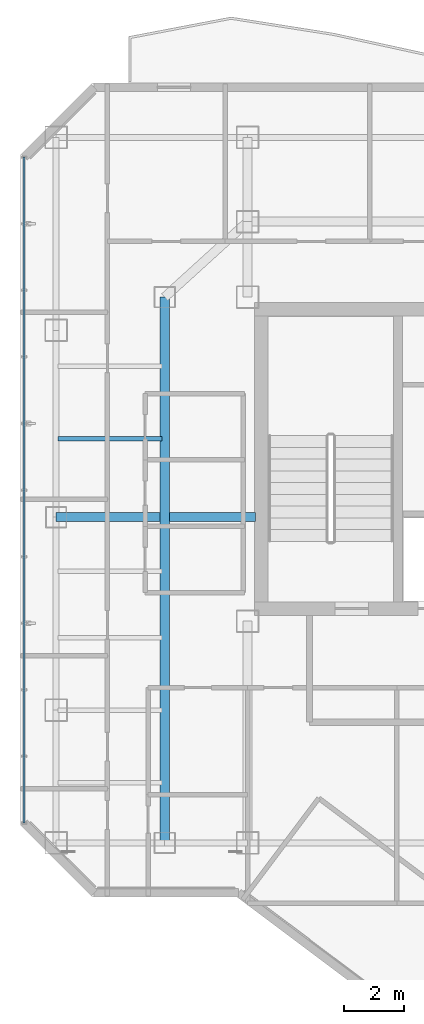
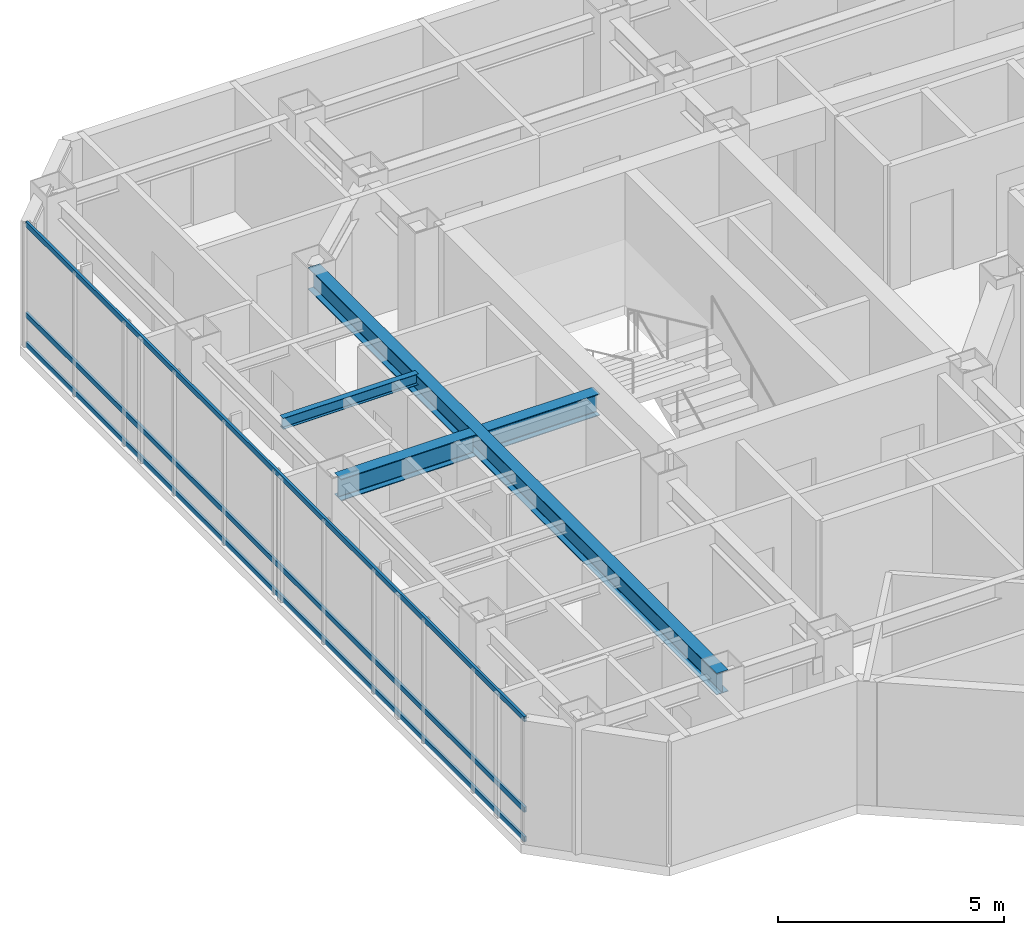
# One storey, part 7 of 26: 4 beams, 3 members, 1 element without a shape of its own.
"""IFC4 building model written with IfcOpenShell, lengths in metres."""

from ifc_helpers import new_model, si_unit, direction, frame, origin, origin_2d, place, context, subcontext, project, spatial, hollow_rectangle, i_section, extrude, material, layer, layer_set, material_profile, profile_set, type_object, element, aggregate, save


model = new_model("IFC4")

# Units and contexts
model_context = context("Model", 3, precision=1e-05, world=origin(), true_north=direction((0.0, 1.0)))
body_context = subcontext(model_context, "Body", "Model", "MODEL_VIEW")
ifc_project = project(units=[si_unit("LENGTHUNIT", "METRE"), si_unit("AREAUNIT", "SQUARE_METRE"), si_unit("VOLUMEUNIT", "CUBIC_METRE"), si_unit("PLANEANGLEUNIT", "RADIAN"), si_unit("MASSUNIT", "GRAM", prefix="KILO")], contexts=[model_context])

# Site, building, storey
site_placement = place(None, origin())
site = spatial("IfcSite", under=ifc_project, at=site_placement, CompositionType="ELEMENT")
building_placement = place(site_placement, origin())
building = spatial("IfcBuilding", under=site, at=building_placement, Name="Hatsunagi Terrace Concourse", CompositionType="ELEMENT")
storey_placement = place(building_placement, frame((0.0, 0.0, 209.550048828125)))
storey = spatial("IfcBuildingStorey", under=building, at=storey_placement, Name="L55", CompositionType="ELEMENT", Elevation=209.550048828125)

# Curtain wall, members
ifc_material_1 = material(Name="Anodised Aluminium Alloy 6063-T5", Category="aluminium")
ifc_layer = layer(ifc_material_1, 0.199951171875)
ifc_layer_set = layer_set([ifc_layer], Name="OfficeZone2_CW04")
curtain_wall_type = type_object("IfcCurtainWallType", Name="OfficeZone2_CW04", PredefinedType="NOTDEFINED", material=ifc_layer_set)
curtain_wall_placement = place(storey_placement, origin())
curtain_wall = element("IfcCurtainWall", 1, at=curtain_wall_placement, inside=storey, type_object=curtain_wall_type, Name="Unitised Curtain Wall CW-04 CW-L55-08", PredefinedType="NOTDEFINED")
ifc_material_2 = material(Name="Anodised Aluminium Alloy 6063-T5", Category="aluminium")
ifc_material_profile_1 = material_profile(ifc_material_2, hollow_rectangle(XDim=0.06494140625, YDim=0.139892578125, WallThickness=0.00390625, at=origin_2d()), Name="ALU-TRN-140x65x4")
ifc_profile_set_1 = profile_set([ifc_material_profile_1], Name="Anodised Aluminium Alloy 6063-T5")
member_type = type_object("IfcMemberType", Name="CurtainWallTransom_140x65", PredefinedType="USERDEFINED", material=ifc_profile_set_1)
member_1_placement = place(storey_placement, frame((18.139892578125, 25.85791015625, 0.050048828125), z_axis=(0.0, 1.0, 0.0), x_axis=(-1.0, 0.0, 0.0)))
member_1 = element("IfcMember", 2, at=member_1_placement, type_object=member_type, Name="Curtain Wall Transom TRN-02", ObjectType="TRANSOM", PredefinedType="USERDEFINED", context=body_context, shape_type="SweptSolid", body=[
    extrude(hollow_rectangle(XDim=0.06494140625, YDim=0.139892578125, WallThickness=0.00390625, at=origin_2d()), origin(), (0.0, 0.0, 1.0), 22.083984375),
])
member_2_placement = place(storey_placement, frame((18.139892578125, 25.85791015625, 0.849853515625), z_axis=(0.0, 1.0, 0.0), x_axis=(-1.0, 0.0, 0.0)))
member_2 = element("IfcMember", 3, at=member_2_placement, type_object=member_type, Name="Curtain Wall Transom TRN-02", ObjectType="TRANSOM", PredefinedType="USERDEFINED", context=body_context, shape_type="SweptSolid", body=[
    extrude(hollow_rectangle(XDim=0.06494140625, YDim=0.139892578125, WallThickness=0.00390625, at=origin_2d()), origin(), (0.0, 0.0, 1.0), 22.083984375),
])
member_3_placement = place(storey_placement, frame((18.139892578125, 25.85791015625, 3.300048828125), z_axis=(0.0, 1.0, 0.0), x_axis=(-1.0, 0.0, 0.0)))
member_3 = element("IfcMember", 4, at=member_3_placement, type_object=member_type, Name="Curtain Wall Transom TRN-02", ObjectType="TRANSOM", PredefinedType="USERDEFINED", context=body_context, shape_type="SweptSolid", body=[
    extrude(hollow_rectangle(XDim=0.06494140625, YDim=0.139892578125, WallThickness=0.00390625, at=origin_2d()), origin(), (0.0, 0.0, 1.0), 22.083984375),
])
aggregate(curtain_wall, [member_1, member_2, member_3])

# Beams
ifc_material_3 = material(Name="Steel SN490B", Category="steel")
ifc_material_profile_2 = material_profile(ifc_material_3, i_section(OverallWidth=0.300048828125, OverallDepth=0.587890625, WebThickness=0.011962890625, FlangeThickness=0.02001953125, FilletRadius=0.01806640625, at=origin_2d()), Name="H-588x300x12x20")
ifc_profile_set_2 = profile_set([ifc_material_profile_2], Name="Steel SN490B")
beam_type_1 = type_object("IfcBeamType", Name="OfficeHighGirder_H_588x300", PredefinedType="BEAM", material=ifc_profile_set_2)
beam_1_placement = place(storey_placement, frame((22.800048828125, 25.199951171875, 3.055908203125), z_axis=(0.0, 1.0, 0.0), x_axis=(-1.0, 0.0, 0.0)))
element("IfcBeam", 5, at=beam_1_placement, inside=storey, type_object=beam_type_1, Name="Beam G-06 BM-L55-CWNS", PredefinedType="BEAM", context=body_context, shape_type="SweptSolid", body=[
    extrude(i_section(OverallWidth=0.300048828125, OverallDepth=0.587890625, WebThickness=0.011962890625, FlangeThickness=0.02001953125, FilletRadius=0.01806640625, at=origin_2d()), origin(), (0.0, 0.0, 1.0), 18.10009765625),
])
beam_2_placement = place(storey_placement, frame((19.199951171875, 36.0, 3.055908203125), z_axis=(1.0, 0.0, 0.0), x_axis=(0.0, 1.0, 0.0)))
element("IfcBeam", 6, at=beam_2_placement, inside=storey, type_object=beam_type_1, Name="Beam G-06 BM-L55-EW-3", PredefinedType="BEAM", context=body_context, shape_type="SweptSolid", body=[
    extrude(i_section(OverallWidth=0.300048828125, OverallDepth=0.587890625, WebThickness=0.011962890625, FlangeThickness=0.02001953125, FilletRadius=0.01806640625, at=origin_2d()), origin(), (0.0, 0.0, 1.0), 3.449951171875),
])
beam_3_placement = place(storey_placement, frame((22.949951171875, 36.0, 3.055908203125), z_axis=(1.0, 0.0, 0.0), x_axis=(0.0, 1.0, 0.0)))
element("IfcBeam", 7, at=beam_3_placement, inside=storey, type_object=beam_type_1, Name="Beam G-06 BM-L55-EW-4", PredefinedType="BEAM", context=body_context, shape_type="SweptSolid", body=[
    extrude(i_section(OverallWidth=0.300048828125, OverallDepth=0.587890625, WebThickness=0.011962890625, FlangeThickness=0.02001953125, FilletRadius=0.01806640625, at=origin_2d()), origin(), (0.0, 0.0, 1.0), 2.860107421875),
])
ifc_material_4 = material(Name="Steel SN490B", Category="steel")
ifc_material_profile_3 = material_profile(ifc_material_4, i_section(OverallWidth=0.14990234375, OverallDepth=0.300048828125, WebThickness=0.006591796875, FlangeThickness=0.009033203125, FilletRadius=0.010986328125, at=origin_2d()), Name="H-300x150x6.5x9")
ifc_profile_set_3 = profile_set([ifc_material_profile_3], Name="Steel SN490B")
beam_type_2 = type_object("IfcBeamType", Name="OfficeJoist_H_300x150", PredefinedType="JOIST", material=ifc_profile_set_3)
beam_4_placement = place(storey_placement, frame((19.264892578125, 38.60009765625, 3.199951171875), z_axis=(1.0, 0.0, 0.0), x_axis=(0.0, 1.0, 0.0)))
element("IfcBeam", 8, at=beam_4_placement, inside=storey, type_object=beam_type_2, Name="Beam J-03 J-L55-W-19-386", PredefinedType="JOIST", context=body_context, shape_type="SweptSolid", body=[
    extrude(i_section(OverallWidth=0.14990234375, OverallDepth=0.300048828125, WebThickness=0.006591796875, FlangeThickness=0.009033203125, FilletRadius=0.010986328125, at=origin_2d()), origin(), (0.0, 0.0, 1.0), 3.4501953125),
])

save(model, "model.ifc")
